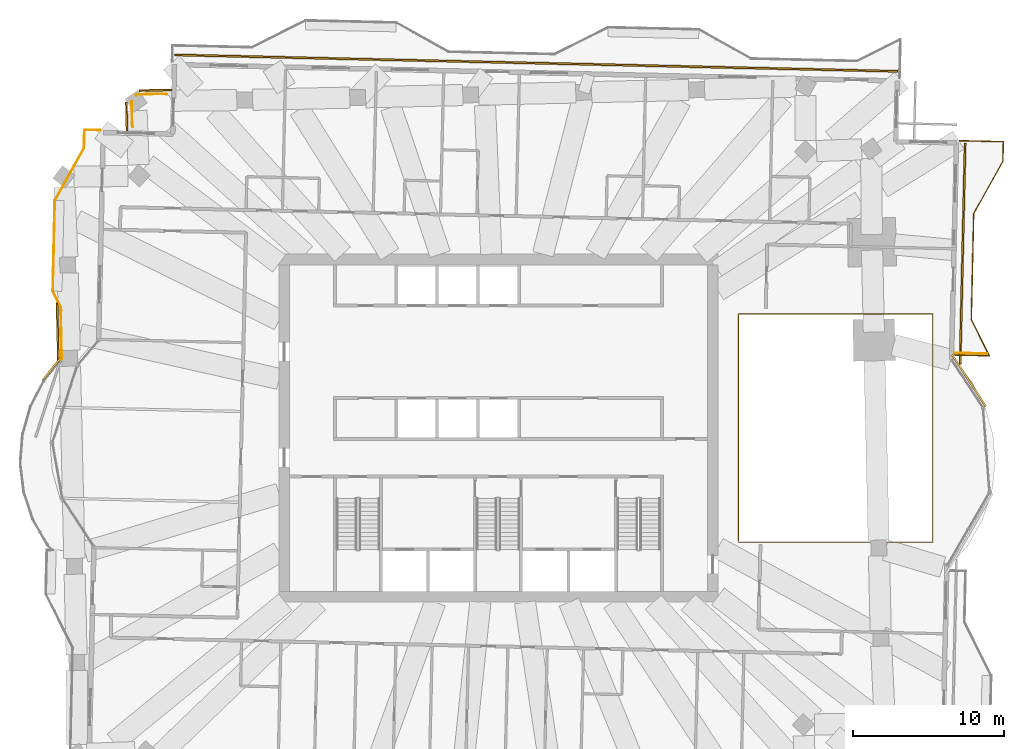
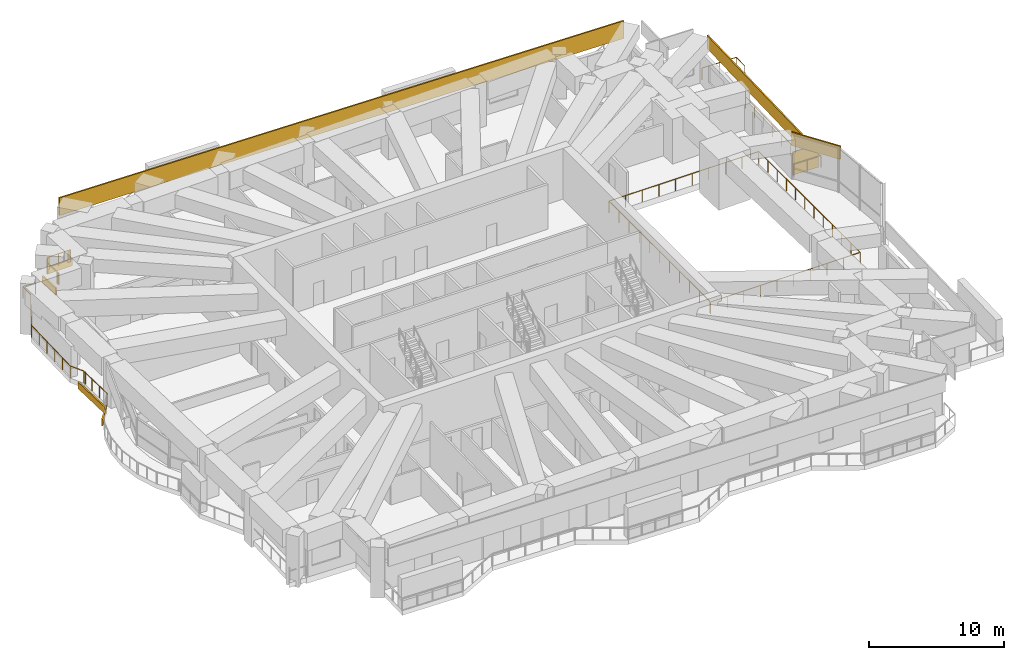
# One storey, part 19 of 20: 7 coverings, 6 railings, 1 shading device.
"""IFC4 building model written with IfcOpenShell, lengths in metres."""

from ifc_helpers import new_model, si_unit, direction, frame, frame_2d, origin, origin_2d, place, context, subcontext, project, spatial, rectangle, extrude, material, layer, layer_set, type_object, element, save


model = new_model("IFC4")

# Units and contexts
model_context = context("Model", 3, precision=1e-05, world=origin(), true_north=direction((0.0, 1.0)))
body_context = subcontext(model_context, "Body", "Model", "MODEL_VIEW")
ifc_project = project(units=[si_unit("LENGTHUNIT", "METRE"), si_unit("AREAUNIT", "SQUARE_METRE"), si_unit("VOLUMEUNIT", "CUBIC_METRE"), si_unit("PLANEANGLEUNIT", "RADIAN"), si_unit("MASSUNIT", "GRAM", prefix="KILO")], contexts=[model_context])

# Site, building, storey
site_placement = place(None, origin())
site = spatial("IfcSite", under=ifc_project, at=site_placement, CompositionType="ELEMENT")
building_placement = place(site_placement, origin())
building = spatial("IfcBuilding", under=site, at=building_placement, Name="Mangrove Gate Tower", CompositionType="ELEMENT")
storey_placement = place(building_placement, frame((0.0, 0.0, 252.699951171875)))
storey = spatial("IfcBuildingStorey", under=building, at=storey_placement, Name="L64", CompositionType="ELEMENT", Elevation=252.699951171875)

# Railings
ifc_material_1 = material(Name="Stainless steel grade 316 with laminated glass infill", Category="steel")
railing_type = type_object("IfcRailingType", Name="Balcony guard 1100", PredefinedType="GUARDRAIL", material=ifc_material_1)
railing_1_placement = place(storey_placement, frame((30.1298828125, 4.830078125, 0.0)))
element("IfcRailing", 1, at=railing_1_placement, inside=storey, type_object=railing_type, Name="GUARD L64 E2", PredefinedType="GUARDRAIL", context=body_context, shape_type="SweptSolid", body=[
    extrude(rectangle(XDim=0.048095703125, YDim=0.048095703125, at=origin_2d()), frame((0.0, 0.0, 1.076171875), z_axis=(0.9997382857, -0.022877065063, 0.0), x_axis=(0.022877065063, 0.9997382857, 0.0)), (0.0, 0.0, 1.0), 2.315673828125),
    extrude(rectangle(XDim=0.048095703125, YDim=0.048095703125, at=origin_2d()), frame((2.315185546875, -0.052978515625, 1.076171875), z_axis=(-0.447140888187, 0.894463540963, 0.0), x_axis=(-0.894463540963, -0.447140888187, 0.0)), (0.0, 0.0, 1.0), 2.686279296875),
    extrude(rectangle(XDim=0.048095703125, YDim=0.048095703125, at=origin_2d()), frame((1.114013671875, 2.349853515625, 1.076171875), z_axis=(0.022740419861, 0.999741403216, 0.0), x_axis=(-0.999741403216, 0.022740419861, 0.0)), (0.0, 0.0, 1.0), 6.999755859375),
    extrude(rectangle(XDim=0.048095703125, YDim=0.048095703125, at=origin_2d()), frame((1.273193359375, 9.347900390625, 1.076171875), z_axis=(0.48726008209, 0.87325689943, 0.0), x_axis=(-0.87325689943, 0.48726008209, 0.0)), (0.0, 0.0, 1.0), 3.958740234375),
    extrude(rectangle(XDim=0.048095703125, YDim=0.048095703125, at=origin_2d()), frame((3.2021484375, 12.804931640625, 1.076171875), z_axis=(0.0223418397, 0.999750389947, 0.0), x_axis=(-0.999750389947, 0.0223418397, 0.0)), (0.0, 0.0, 1.0), 1.30029296875),
    extrude(rectangle(XDim=0.048095703125, YDim=0.048095703125, at=origin_2d()), frame((3.231201171875, 14.10498046875, 1.076171875), z_axis=(-0.999743392495, 0.022652795902, 0.0), x_axis=(-0.022652795902, -0.999743392495, 0.0)), (0.0, 0.0, 1.0), 2.909912109375),
    extrude(rectangle(XDim=0.0419921875, YDim=0.0419921875, at=origin_2d()), origin(), (0.0, 0.0, 1.0), 1.052001953125),
    extrude(rectangle(XDim=0.0419921875, YDim=0.0419921875, at=origin_2d()), frame((1.15771484375, -0.0263671875, 0.0)), (0.0, 0.0, 1.0), 1.052001953125),
    extrude(rectangle(XDim=0.0419921875, YDim=0.0419921875, at=origin_2d()), frame((2.315185546875, -0.052978515625, 0.0)), (0.0, 0.0, 1.0), 1.052001953125),
    extrude(rectangle(XDim=0.0419921875, YDim=0.0419921875, at=origin_2d()), frame((1.714599609375, 1.1484375, 0.0)), (0.0, 0.0, 1.0), 1.052001953125),
    extrude(rectangle(XDim=0.0419921875, YDim=0.0419921875, at=origin_2d()), frame((1.114013671875, 2.349853515625, 0.0)), (0.0, 0.0, 1.0), 1.052001953125),
    extrude(rectangle(XDim=0.0419921875, YDim=0.0419921875, at=origin_2d()), frame((1.145751953125, 3.74951171875, 0.0)), (0.0, 0.0, 1.0), 1.052001953125),
    extrude(rectangle(XDim=0.0419921875, YDim=0.0419921875, at=origin_2d()), frame((1.177734375, 5.149169921875, 0.0)), (0.0, 0.0, 1.0), 1.052001953125),
    extrude(rectangle(XDim=0.0419921875, YDim=0.0419921875, at=origin_2d()), frame((1.20947265625, 6.548583984375, 0.0)), (0.0, 0.0, 1.0), 1.052001953125),
    extrude(rectangle(XDim=0.0419921875, YDim=0.0419921875, at=origin_2d()), frame((1.241455078125, 7.9482421875, 0.0)), (0.0, 0.0, 1.0), 1.052001953125),
    extrude(rectangle(XDim=0.0419921875, YDim=0.0419921875, at=origin_2d()), frame((1.273193359375, 9.347900390625, 0.0)), (0.0, 0.0, 1.0), 1.052001953125),
    extrude(rectangle(XDim=0.0419921875, YDim=0.0419921875, at=origin_2d()), frame((1.916259765625, 10.500244140625, 0.0)), (0.0, 0.0, 1.0), 1.052001953125),
    extrude(rectangle(XDim=0.0419921875, YDim=0.0419921875, at=origin_2d()), frame((2.55908203125, 11.652587890625, 0.0)), (0.0, 0.0, 1.0), 1.052001953125),
    extrude(rectangle(XDim=0.0419921875, YDim=0.0419921875, at=origin_2d()), frame((3.2021484375, 12.804931640625, 0.0)), (0.0, 0.0, 1.0), 1.052001953125),
    extrude(rectangle(XDim=0.0419921875, YDim=0.0419921875, at=origin_2d()), frame((3.231201171875, 14.10498046875, 0.0)), (0.0, 0.0, 1.0), 1.052001953125),
    extrude(rectangle(XDim=0.0419921875, YDim=0.0419921875, at=origin_2d()), frame((1.776611328125, 14.137939453125, 0.0)), (0.0, 0.0, 1.0), 1.052001953125),
    extrude(rectangle(XDim=0.0419921875, YDim=0.0419921875, at=origin_2d()), frame((0.322021484375, 14.1708984375, 0.0)), (0.0, 0.0, 1.0), 1.052001953125),
])
railing_2_placement = place(storey_placement, frame((-26.299072265625, 19.68896484375, 0.0)))
element("IfcRailing", 2, at=railing_2_placement, inside=storey, type_object=railing_type, Name="GUARD L64 W1", PredefinedType="GUARDRAIL", context=body_context, shape_type="SweptSolid", body=[
    extrude(rectangle(XDim=0.048095703125, YDim=0.048095703125, at=origin_2d()), frame((0.0, 0.0, 1.076171875), z_axis=(-0.999765634628, 0.021648921828, 0.0), x_axis=(-0.021648921828, -0.999765634628, 0.0)), (0.0, 0.0, 1.0), 1.06005859375),
    extrude(rectangle(XDim=0.048095703125, YDim=0.048095703125, at=origin_2d()), frame((-1.059814453125, 0.02294921875, 1.076171875), z_axis=(-0.022596550164, -0.999744665362, 0.0), x_axis=(0.999744665362, -0.022596550164, 0.0)), (0.0, 0.0, 1.0), 1.19921875),
    extrude(rectangle(XDim=0.048095703125, YDim=0.048095703125, at=origin_2d()), frame((-1.0869140625, -1.176025390625, 1.076171875), z_axis=(-0.48726008209, -0.87325689943, 0.0), x_axis=(0.87325689943, -0.48726008209, 0.0)), (0.0, 0.0, 1.0), 3.958740234375),
    extrude(rectangle(XDim=0.048095703125, YDim=0.048095703125, at=origin_2d()), frame((-3.015869140625, -4.633056640625, 1.076171875), z_axis=(-0.022662255828, -0.999743178102, 0.0), x_axis=(0.999743178102, -0.022662255828, 0.0)), (0.0, 0.0, 1.0), 6.00048828125),
    extrude(rectangle(XDim=0.048095703125, YDim=0.048095703125, at=origin_2d()), frame((-3.15185546875, -10.632080078125, 1.076171875), z_axis=(0.4472135955, -0.894427191, 0.0), x_axis=(0.894427191, 0.4472135955, 0.0)), (0.0, 0.0, 1.0), 1.1982421875),
    extrude(rectangle(XDim=0.0419921875, YDim=0.0419921875, at=origin_2d()), origin(), (0.0, 0.0, 1.0), 1.052001953125),
    extrude(rectangle(XDim=0.0419921875, YDim=0.0419921875, at=origin_2d()), frame((-1.059814453125, 0.02294921875, 0.0)), (0.0, 0.0, 1.0), 1.052001953125),
    extrude(rectangle(XDim=0.0419921875, YDim=0.0419921875, at=origin_2d()), frame((-1.0869140625, -1.176025390625, 0.0)), (0.0, 0.0, 1.0), 1.052001953125),
    extrude(rectangle(XDim=0.0419921875, YDim=0.0419921875, at=origin_2d()), frame((-1.72998046875, -2.328369140625, 0.0)), (0.0, 0.0, 1.0), 1.052001953125),
    extrude(rectangle(XDim=0.0419921875, YDim=0.0419921875, at=origin_2d()), frame((-2.372802734375, -3.480712890625, 0.0)), (0.0, 0.0, 1.0), 1.052001953125),
    extrude(rectangle(XDim=0.0419921875, YDim=0.0419921875, at=origin_2d()), frame((-3.015869140625, -4.633056640625, 0.0)), (0.0, 0.0, 1.0), 1.052001953125),
    extrude(rectangle(XDim=0.0419921875, YDim=0.0419921875, at=origin_2d()), frame((-3.04296875, -5.832763671875, 0.0)), (0.0, 0.0, 1.0), 1.052001953125),
    extrude(rectangle(XDim=0.0419921875, YDim=0.0419921875, at=origin_2d()), frame((-3.0703125, -7.03271484375, 0.0)), (0.0, 0.0, 1.0), 1.052001953125),
    extrude(rectangle(XDim=0.0419921875, YDim=0.0419921875, at=origin_2d()), frame((-3.097412109375, -8.232421875, 0.0)), (0.0, 0.0, 1.0), 1.052001953125),
    extrude(rectangle(XDim=0.0419921875, YDim=0.0419921875, at=origin_2d()), frame((-3.124755859375, -9.432373046875, 0.0)), (0.0, 0.0, 1.0), 1.052001953125),
    extrude(rectangle(XDim=0.0419921875, YDim=0.0419921875, at=origin_2d()), frame((-3.15185546875, -10.632080078125, 0.0)), (0.0, 0.0, 1.0), 1.052001953125),
    extrude(rectangle(XDim=0.0419921875, YDim=0.0419921875, at=origin_2d()), frame((-2.615966796875, -11.703857421875, 0.0)), (0.0, 0.0, 1.0), 1.052001953125),
])
railing_3_placement = place(storey_placement, frame((15.860107421875, -7.5400390625, 0.0)))
element("IfcRailing", 3, at=railing_3_placement, inside=storey, type_object=railing_type, Name="GUARD L64 atrium", PredefinedType="GUARDRAIL", context=body_context, shape_type="SweptSolid", body=[
    extrude(rectangle(XDim=0.048095703125, YDim=0.048095703125, at=origin_2d()), frame((0.0, 0.0, 1.076171875), z_axis=(1.0, 0.0, 0.0), x_axis=(0.0, 1.0, 0.0)), (0.0, 0.0, 1.0), 12.8388671875),
    extrude(rectangle(XDim=0.048095703125, YDim=0.048095703125, at=origin_2d()), frame((12.8388671875, 0.0, 1.076171875), z_axis=(0.0, 1.0, 0.0), x_axis=(-1.0, 0.0, 0.0)), (0.0, 0.0, 1.0), 15.080078125),
    extrude(rectangle(XDim=0.048095703125, YDim=0.048095703125, at=origin_2d()), frame((12.8388671875, 15.080078125, 1.076171875), z_axis=(-1.0, 0.0, 0.0), x_axis=(0.0, -1.0, 0.0)), (0.0, 0.0, 1.0), 12.8388671875),
    extrude(rectangle(XDim=0.048095703125, YDim=0.048095703125, at=origin_2d()), frame((0.0, 15.080078125, 1.076171875), z_axis=(0.0, -1.0, 0.0), x_axis=(1.0, 0.0, 0.0)), (0.0, 0.0, 1.0), 14.9599609375),
    extrude(rectangle(XDim=0.0419921875, YDim=0.0419921875, at=origin_2d()), origin(), (0.0, 0.0, 1.0), 1.052001953125),
    extrude(rectangle(XDim=0.0419921875, YDim=0.0419921875, at=origin_2d()), frame((1.426513671875, 0.0, 0.0)), (0.0, 0.0, 1.0), 1.052001953125),
    extrude(rectangle(XDim=0.0419921875, YDim=0.0419921875, at=origin_2d()), frame((2.85302734375, 0.0, 0.0)), (0.0, 0.0, 1.0), 1.052001953125),
    extrude(rectangle(XDim=0.0419921875, YDim=0.0419921875, at=origin_2d()), frame((4.279541015625, 0.0, 0.0)), (0.0, 0.0, 1.0), 1.052001953125),
    extrude(rectangle(XDim=0.0419921875, YDim=0.0419921875, at=origin_2d()), frame((5.7060546875, 0.0, 0.0)), (0.0, 0.0, 1.0), 1.052001953125),
    extrude(rectangle(XDim=0.0419921875, YDim=0.0419921875, at=origin_2d()), frame((7.1328125, 0.0, 0.0)), (0.0, 0.0, 1.0), 1.052001953125),
    extrude(rectangle(XDim=0.0419921875, YDim=0.0419921875, at=origin_2d()), frame((8.559326171875, 0.0, 0.0)), (0.0, 0.0, 1.0), 1.052001953125),
    extrude(rectangle(XDim=0.0419921875, YDim=0.0419921875, at=origin_2d()), frame((9.98583984375, 0.0, 0.0)), (0.0, 0.0, 1.0), 1.052001953125),
    extrude(rectangle(XDim=0.0419921875, YDim=0.0419921875, at=origin_2d()), frame((11.412353515625, 0.0, 0.0)), (0.0, 0.0, 1.0), 1.052001953125),
    extrude(rectangle(XDim=0.0419921875, YDim=0.0419921875, at=origin_2d()), frame((12.8388671875, 0.0, 0.0)), (0.0, 0.0, 1.0), 1.052001953125),
    extrude(rectangle(XDim=0.0419921875, YDim=0.0419921875, at=origin_2d()), frame((12.8388671875, 1.370849609375, 0.0)), (0.0, 0.0, 1.0), 1.052001953125),
    extrude(rectangle(XDim=0.0419921875, YDim=0.0419921875, at=origin_2d()), frame((12.8388671875, 2.741943359375, 0.0)), (0.0, 0.0, 1.0), 1.052001953125),
    extrude(rectangle(XDim=0.0419921875, YDim=0.0419921875, at=origin_2d()), frame((12.8388671875, 4.11279296875, 0.0)), (0.0, 0.0, 1.0), 1.052001953125),
    extrude(rectangle(XDim=0.0419921875, YDim=0.0419921875, at=origin_2d()), frame((12.8388671875, 5.483642578125, 0.0)), (0.0, 0.0, 1.0), 1.052001953125),
    extrude(rectangle(XDim=0.0419921875, YDim=0.0419921875, at=origin_2d()), frame((12.8388671875, 6.8544921875, 0.0)), (0.0, 0.0, 1.0), 1.052001953125),
    extrude(rectangle(XDim=0.0419921875, YDim=0.0419921875, at=origin_2d()), frame((12.8388671875, 8.2255859375, 0.0)), (0.0, 0.0, 1.0), 1.052001953125),
    extrude(rectangle(XDim=0.0419921875, YDim=0.0419921875, at=origin_2d()), frame((12.8388671875, 9.596435546875, 0.0)), (0.0, 0.0, 1.0), 1.052001953125),
    extrude(rectangle(XDim=0.0419921875, YDim=0.0419921875, at=origin_2d()), frame((12.8388671875, 10.96728515625, 0.0)), (0.0, 0.0, 1.0), 1.052001953125),
    extrude(rectangle(XDim=0.0419921875, YDim=0.0419921875, at=origin_2d()), frame((12.8388671875, 12.338134765625, 0.0)), (0.0, 0.0, 1.0), 1.052001953125),
    extrude(rectangle(XDim=0.0419921875, YDim=0.0419921875, at=origin_2d()), frame((12.8388671875, 13.709228515625, 0.0)), (0.0, 0.0, 1.0), 1.052001953125),
    extrude(rectangle(XDim=0.0419921875, YDim=0.0419921875, at=origin_2d()), frame((12.8388671875, 15.080078125, 0.0)), (0.0, 0.0, 1.0), 1.052001953125),
    extrude(rectangle(XDim=0.0419921875, YDim=0.0419921875, at=origin_2d()), frame((11.412353515625, 15.080078125, 0.0)), (0.0, 0.0, 1.0), 1.052001953125),
    extrude(rectangle(XDim=0.0419921875, YDim=0.0419921875, at=origin_2d()), frame((9.98583984375, 15.080078125, 0.0)), (0.0, 0.0, 1.0), 1.052001953125),
    extrude(rectangle(XDim=0.0419921875, YDim=0.0419921875, at=origin_2d()), frame((8.559326171875, 15.080078125, 0.0)), (0.0, 0.0, 1.0), 1.052001953125),
    extrude(rectangle(XDim=0.0419921875, YDim=0.0419921875, at=origin_2d()), frame((7.1328125, 15.080078125, 0.0)), (0.0, 0.0, 1.0), 1.052001953125),
    extrude(rectangle(XDim=0.0419921875, YDim=0.0419921875, at=origin_2d()), frame((5.7060546875, 15.080078125, 0.0)), (0.0, 0.0, 1.0), 1.052001953125),
    extrude(rectangle(XDim=0.0419921875, YDim=0.0419921875, at=origin_2d()), frame((4.279541015625, 15.080078125, 0.0)), (0.0, 0.0, 1.0), 1.052001953125),
    extrude(rectangle(XDim=0.0419921875, YDim=0.0419921875, at=origin_2d()), frame((2.85302734375, 15.080078125, 0.0)), (0.0, 0.0, 1.0), 1.052001953125),
    extrude(rectangle(XDim=0.0419921875, YDim=0.0419921875, at=origin_2d()), frame((1.426513671875, 15.080078125, 0.0)), (0.0, 0.0, 1.0), 1.052001953125),
    extrude(rectangle(XDim=0.0419921875, YDim=0.0419921875, at=origin_2d()), frame((0.0, 15.080078125, 0.0)), (0.0, 0.0, 1.0), 1.052001953125),
    extrude(rectangle(XDim=0.0419921875, YDim=0.0419921875, at=origin_2d()), frame((0.0, 13.583984375, 0.0)), (0.0, 0.0, 1.0), 1.052001953125),
    extrude(rectangle(XDim=0.0419921875, YDim=0.0419921875, at=origin_2d()), frame((0.0, 12.088134765625, 0.0)), (0.0, 0.0, 1.0), 1.052001953125),
    extrude(rectangle(XDim=0.0419921875, YDim=0.0419921875, at=origin_2d()), frame((0.0, 10.592041015625, 0.0)), (0.0, 0.0, 1.0), 1.052001953125),
    extrude(rectangle(XDim=0.0419921875, YDim=0.0419921875, at=origin_2d()), frame((0.0, 9.09619140625, 0.0)), (0.0, 0.0, 1.0), 1.052001953125),
    extrude(rectangle(XDim=0.0419921875, YDim=0.0419921875, at=origin_2d()), frame((0.0, 7.60009765625, 0.0)), (0.0, 0.0, 1.0), 1.052001953125),
    extrude(rectangle(XDim=0.0419921875, YDim=0.0419921875, at=origin_2d()), frame((0.0, 6.10400390625, 0.0)), (0.0, 0.0, 1.0), 1.052001953125),
    extrude(rectangle(XDim=0.0419921875, YDim=0.0419921875, at=origin_2d()), frame((0.0, 4.608154296875, 0.0)), (0.0, 0.0, 1.0), 1.052001953125),
    extrude(rectangle(XDim=0.0419921875, YDim=0.0419921875, at=origin_2d()), frame((0.0, 3.112060546875, 0.0)), (0.0, 0.0, 1.0), 1.052001953125),
    extrude(rectangle(XDim=0.0419921875, YDim=0.0419921875, at=origin_2d()), frame((0.0, 1.6162109375, 0.0)), (0.0, 0.0, 1.0), 1.052001953125),
    extrude(rectangle(XDim=0.0419921875, YDim=0.0419921875, at=origin_2d()), frame((0.0, 0.1201171875, 0.0)), (0.0, 0.0, 1.0), 1.052001953125),
])
railing_4_placement = place(storey_placement, frame((-23.962890625, 21.9990234375, 0.0)))
element("IfcRailing", 4, at=railing_4_placement, inside=storey, type_object=railing_type, Name="GUARD L64 T1.1", PredefinedType="GUARDRAIL", context=body_context, shape_type="SweptSolid", body=[
    extrude(rectangle(XDim=0.048095703125, YDim=0.048095703125, at=origin_2d()), frame((0.0, 0.0, 1.076171875), z_axis=(0.901385111422, 0.43301833784, 0.0), x_axis=(-0.43301833784, 0.901385111422, 0.0)), (0.0, 0.0, 1.0), 0.027587890625),
    extrude(rectangle(XDim=0.048095703125, YDim=0.048095703125, at=origin_2d()), frame((0.02490234375, 0.011962890625, 1.076171875), z_axis=(0.930510652004, 0.366264831108, 0.0), x_axis=(-0.366264831108, 0.930510652004, 0.0)), (0.0, 0.0, 1.0), 0.04931640625),
    extrude(rectangle(XDim=0.048095703125, YDim=0.048095703125, at=origin_2d()), frame((0.07080078125, 0.030029296875, 1.076171875), z_axis=(0.964301134924, 0.264808083684, 0.0), x_axis=(-0.264808083684, 0.964301134924, 0.0)), (0.0, 0.0, 1.0), 0.048828125),
    extrude(rectangle(XDim=0.048095703125, YDim=0.048095703125, at=origin_2d()), frame((0.117919921875, 0.04296875, 1.076171875), z_axis=(0.986789091699, 0.162010149383, 0.0), x_axis=(-0.162010149383, 0.986789091699, 0.0)), (0.0, 0.0, 1.0), 0.0498046875),
    extrude(rectangle(XDim=0.048095703125, YDim=0.048095703125, at=origin_2d()), frame((0.1669921875, 0.051025390625, 1.076171875), z_axis=(0.996815278536, 0.079745222283, 0.0), x_axis=(-0.079745222283, 0.996815278536, 0.0)), (0.0, 0.0, 1.0), 0.049072265625),
    extrude(rectangle(XDim=0.048095703125, YDim=0.048095703125, at=origin_2d()), frame((0.2158203125, 0.054931640625, 1.076171875), z_axis=(0.999751689266, 0.02228362199, 0.0), x_axis=(-0.02228362199, 0.999751689266, 0.0)), (0.0, 0.0, 1.0), 1.62158203125),
    extrude(rectangle(XDim=0.048095703125, YDim=0.048095703125, at=origin_2d()), frame((1.8369140625, 0.091064453125, 1.076171875), z_axis=(0.999809691461, -0.019508481785, 0.0), x_axis=(0.019508481785, 0.999809691461, 0.0)), (0.0, 0.0, 1.0), 0.050048828125),
    extrude(rectangle(XDim=0.048095703125, YDim=0.048095703125, at=origin_2d()), frame((1.886962890625, 0.090087890625, 1.076171875), z_axis=(0.992645877551, -0.121054375311, 0.0), x_axis=(0.121054375311, 0.992645877551, 0.0)), (0.0, 0.0, 1.0), 0.050537109375),
    extrude(rectangle(XDim=0.048095703125, YDim=0.048095703125, at=origin_2d()), frame((1.93701171875, 0.083984375, 1.076171875), z_axis=(0.972344019985, -0.233553220487, 0.0), x_axis=(0.233553220487, 0.972344019985, 0.0)), (0.0, 0.0, 1.0), 0.05126953125),
    extrude(rectangle(XDim=0.048095703125, YDim=0.048095703125, at=origin_2d()), frame((1.98681640625, 0.072021484375, 1.076171875), z_axis=(0.94620349056, -0.323572178119, 0.0), x_axis=(0.323572178119, 0.94620349056, 0.0)), (0.0, 0.0, 1.0), 0.0498046875),
    extrude(rectangle(XDim=0.048095703125, YDim=0.048095703125, at=origin_2d()), frame((2.033935546875, 0.055908203125, 1.076171875), z_axis=(0.894427191, -0.4472135955, 0.0), x_axis=(0.4472135955, 0.894427191, 0.0)), (0.0, 0.0, 1.0), 0.0224609375),
    extrude(rectangle(XDim=0.0419921875, YDim=0.0419921875, at=origin_2d()), origin(), (0.0, 0.0, 1.0), 1.052001953125),
    extrude(rectangle(XDim=0.0419921875, YDim=0.0419921875, at=origin_2d()), frame((0.02490234375, 0.011962890625, 0.0)), (0.0, 0.0, 1.0), 1.052001953125),
    extrude(rectangle(XDim=0.0419921875, YDim=0.0419921875, at=origin_2d()), frame((0.07080078125, 0.030029296875, 0.0)), (0.0, 0.0, 1.0), 1.052001953125),
    extrude(rectangle(XDim=0.0419921875, YDim=0.0419921875, at=origin_2d()), frame((0.117919921875, 0.04296875, 0.0)), (0.0, 0.0, 1.0), 1.052001953125),
    extrude(rectangle(XDim=0.0419921875, YDim=0.0419921875, at=origin_2d()), frame((0.1669921875, 0.051025390625, 0.0)), (0.0, 0.0, 1.0), 1.052001953125),
    extrude(rectangle(XDim=0.0419921875, YDim=0.0419921875, at=origin_2d()), frame((0.2158203125, 0.054931640625, 0.0)), (0.0, 0.0, 1.0), 1.052001953125),
    extrude(rectangle(XDim=0.0419921875, YDim=0.0419921875, at=origin_2d()), frame((1.0263671875, 0.072998046875, 0.0)), (0.0, 0.0, 1.0), 1.052001953125),
    extrude(rectangle(XDim=0.0419921875, YDim=0.0419921875, at=origin_2d()), frame((1.8369140625, 0.091064453125, 0.0)), (0.0, 0.0, 1.0), 1.052001953125),
    extrude(rectangle(XDim=0.0419921875, YDim=0.0419921875, at=origin_2d()), frame((1.886962890625, 0.090087890625, 0.0)), (0.0, 0.0, 1.0), 1.052001953125),
    extrude(rectangle(XDim=0.0419921875, YDim=0.0419921875, at=origin_2d()), frame((1.93701171875, 0.083984375, 0.0)), (0.0, 0.0, 1.0), 1.052001953125),
    extrude(rectangle(XDim=0.0419921875, YDim=0.0419921875, at=origin_2d()), frame((1.98681640625, 0.072021484375, 0.0)), (0.0, 0.0, 1.0), 1.052001953125),
    extrude(rectangle(XDim=0.0419921875, YDim=0.0419921875, at=origin_2d()), frame((2.033935546875, 0.055908203125, 0.0)), (0.0, 0.0, 1.0), 1.052001953125),
    extrude(rectangle(XDim=0.0419921875, YDim=0.0419921875, at=origin_2d()), frame((2.053955078125, 0.0458984375, 0.0)), (0.0, 0.0, 1.0), 1.052001953125),
])
railing_5_placement = place(storey_placement, frame((-24.14892578125, 19.903076171875, 0.0)))
element("IfcRailing", 5, at=railing_5_placement, inside=storey, type_object=railing_type, Name="GUARD L64 T1.2", PredefinedType="GUARDRAIL", context=body_context, shape_type="SweptSolid", body=[
    extrude(rectangle(XDim=0.048095703125, YDim=0.048095703125, at=origin_2d()), frame((0.0, 0.0, 1.076171875), z_axis=(-0.450115207469, 0.892970492237, 0.0), x_axis=(-0.892970492237, -0.450115207469, 0.0)), (0.0, 0.0, 1.0), 0.03369140625),
    extrude(rectangle(XDim=0.048095703125, YDim=0.048095703125, at=origin_2d()), frame((-0.01513671875, 0.030029296875, 1.076171875), z_axis=(-0.333088151559, 0.942895690568, 0.0), x_axis=(-0.942895690568, -0.333088151559, 0.0)), (0.0, 0.0, 1.0), 0.047607421875),
    extrude(rectangle(XDim=0.048095703125, YDim=0.048095703125, at=origin_2d()), frame((-0.031005859375, 0.074951171875, 1.076171875), z_axis=(-0.252212359559, 0.967671910146, 0.0), x_axis=(-0.967671910146, -0.252212359559, 0.0)), (0.0, 0.0, 1.0), 0.04736328125),
    extrude(rectangle(XDim=0.048095703125, YDim=0.048095703125, at=origin_2d()), frame((-0.04296875, 0.120849609375, 1.076171875), z_axis=(-0.168538534535, 0.985695065614, 0.0), x_axis=(-0.985695065614, -0.168538534535, 0.0)), (0.0, 0.0, 1.0), 0.0478515625),
    extrude(rectangle(XDim=0.048095703125, YDim=0.048095703125, at=origin_2d()), frame((-0.051025390625, 0.16796875, 1.076171875), z_axis=(-0.088196627273, 0.996103084494, 0.0), x_axis=(-0.996103084494, -0.088196627273, 0.0)), (0.0, 0.0, 1.0), 0.047119140625),
    extrude(rectangle(XDim=0.048095703125, YDim=0.048095703125, at=origin_2d()), frame((-0.05517578125, 0.21484375, 1.076171875), z_axis=(-0.022452764537, 0.999747904906, 0.0), x_axis=(-0.999747904906, -0.022452764537, 0.0)), (0.0, 0.0, 1.0), 1.42431640625),
    extrude(rectangle(XDim=0.048095703125, YDim=0.048095703125, at=origin_2d()), frame((-0.087158203125, 1.638916015625, 1.076171875), z_axis=(0.019896558087, 0.999802043895, 0.0), x_axis=(-0.999802043895, 0.019896558087, 0.0)), (0.0, 0.0, 1.0), 0.049072265625),
    extrude(rectangle(XDim=0.0419921875, YDim=0.0419921875, at=origin_2d()), origin(), (0.0, 0.0, 1.0), 1.052001953125),
    extrude(rectangle(XDim=0.0419921875, YDim=0.0419921875, at=origin_2d()), frame((-0.01513671875, 0.030029296875, 0.0)), (0.0, 0.0, 1.0), 1.052001953125),
    extrude(rectangle(XDim=0.0419921875, YDim=0.0419921875, at=origin_2d()), frame((-0.031005859375, 0.074951171875, 0.0)), (0.0, 0.0, 1.0), 1.052001953125),
    extrude(rectangle(XDim=0.0419921875, YDim=0.0419921875, at=origin_2d()), frame((-0.04296875, 0.120849609375, 0.0)), (0.0, 0.0, 1.0), 1.052001953125),
    extrude(rectangle(XDim=0.0419921875, YDim=0.0419921875, at=origin_2d()), frame((-0.051025390625, 0.16796875, 0.0)), (0.0, 0.0, 1.0), 1.052001953125),
    extrude(rectangle(XDim=0.0419921875, YDim=0.0419921875, at=origin_2d()), frame((-0.05517578125, 0.21484375, 0.0)), (0.0, 0.0, 1.0), 1.052001953125),
    extrude(rectangle(XDim=0.0419921875, YDim=0.0419921875, at=origin_2d()), frame((-0.087158203125, 1.638916015625, 0.0)), (0.0, 0.0, 1.0), 1.052001953125),
    extrude(rectangle(XDim=0.0419921875, YDim=0.0419921875, at=origin_2d()), frame((-0.086181640625, 1.68798828125, 0.0)), (0.0, 0.0, 1.0), 1.052001953125),
])
railing_6_placement = place(storey_placement, frame((-28.9140625, 4.529052734375, 0.0)))
element("IfcRailing", 6, at=railing_6_placement, inside=storey, type_object=railing_type, Name="GUARD L64 T2.1", PredefinedType="GUARDRAIL", context=body_context, shape_type="SweptSolid", body=[
    extrude(rectangle(XDim=0.048095703125, YDim=0.048095703125, at=origin_2d()), frame((0.0, 0.0, 1.076171875), z_axis=(0.737959728569, 0.674844751784, 0.0), x_axis=(-0.674844751784, 0.737959728569, 0.0)), (0.0, 0.0, 1.0), 0.05029296875),
    extrude(rectangle(XDim=0.048095703125, YDim=0.048095703125, at=origin_2d()), frame((0.037109375, 0.033935546875, 1.076171875), z_axis=(0.802342191251, 0.596864313004, 0.0), x_axis=(-0.596864313004, 0.802342191251, 0.0)), (0.0, 0.0, 1.0), 0.02490234375),
    extrude(rectangle(XDim=0.048095703125, YDim=0.048095703125, at=origin_2d()), frame((0.05712890625, 0.048828125, 1.076171875), z_axis=(0.0, 1.0, 0.0), x_axis=(-1.0, 0.0, 0.0)), (0.0, 0.0, 1.0), 0.005126953125),
    extrude(rectangle(XDim=0.048095703125, YDim=0.048095703125, at=origin_2d()), frame((0.05712890625, 0.053955078125, 1.076171875), z_axis=(0.316227766017, 0.948683298051, 0.0), x_axis=(-0.948683298051, 0.316227766017, 0.0)), (0.0, 0.0, 1.0), 0.003173828125),
    extrude(rectangle(XDim=0.048095703125, YDim=0.048095703125, at=origin_2d()), frame((0.05810546875, 0.056884765625, 1.076171875), z_axis=(0.084799830401, 0.996398007206, 0.0), x_axis=(-0.996398007206, 0.084799830401, 0.0)), (0.0, 0.0, 1.0), 0.02294921875),
    extrude(rectangle(XDim=0.048095703125, YDim=0.048095703125, at=origin_2d()), frame((0.06005859375, 0.079833984375, 1.076171875), z_axis=(0.079745222283, 0.996815278536, 0.0), x_axis=(-0.996815278536, 0.079745222283, 0.0)), (0.0, 0.0, 1.0), 0.01220703125),
    extrude(rectangle(XDim=0.048095703125, YDim=0.048095703125, at=origin_2d()), frame((0.06103515625, 0.092041015625, 1.076171875), z_axis=(-0.022651780072, 0.999743415512, 0.0), x_axis=(-0.999743415512, -0.022651780072, 0.0)), (0.0, 0.0, 1.0), 3.265625),
    extrude(rectangle(XDim=0.048095703125, YDim=0.048095703125, at=origin_2d()), frame((-0.012939453125, 3.35693359375, 1.076171875), z_axis=(0.443876206707, -0.896088116827, 0.0), x_axis=(0.896088116827, 0.443876206707, 0.0)), (0.0, 0.0, 1.0), 0.1171875),
    extrude(rectangle(XDim=0.0419921875, YDim=0.0419921875, at=origin_2d()), origin(), (0.0, 0.0, 1.0), 1.052001953125),
    extrude(rectangle(XDim=0.0419921875, YDim=0.0419921875, at=origin_2d()), frame((0.037109375, 0.033935546875, 0.0)), (0.0, 0.0, 1.0), 1.052001953125),
    extrude(rectangle(XDim=0.0419921875, YDim=0.0419921875, at=origin_2d()), frame((0.05712890625, 0.048828125, 0.0)), (0.0, 0.0, 1.0), 1.052001953125),
    extrude(rectangle(XDim=0.0419921875, YDim=0.0419921875, at=origin_2d()), frame((0.05712890625, 0.053955078125, 0.0)), (0.0, 0.0, 1.0), 1.052001953125),
    extrude(rectangle(XDim=0.0419921875, YDim=0.0419921875, at=origin_2d()), frame((0.05810546875, 0.056884765625, 0.0)), (0.0, 0.0, 1.0), 1.052001953125),
    extrude(rectangle(XDim=0.0419921875, YDim=0.0419921875, at=origin_2d()), frame((0.06005859375, 0.079833984375, 0.0)), (0.0, 0.0, 1.0), 1.052001953125),
    extrude(rectangle(XDim=0.0419921875, YDim=0.0419921875, at=origin_2d()), frame((0.06103515625, 0.092041015625, 0.0)), (0.0, 0.0, 1.0), 1.052001953125),
    extrude(rectangle(XDim=0.0419921875, YDim=0.0419921875, at=origin_2d()), frame((0.036376953125, 1.180419921875, 0.0)), (0.0, 0.0, 1.0), 1.052001953125),
    extrude(rectangle(XDim=0.0419921875, YDim=0.0419921875, at=origin_2d()), frame((0.01171875, 2.2685546875, 0.0)), (0.0, 0.0, 1.0), 1.052001953125),
    extrude(rectangle(XDim=0.0419921875, YDim=0.0419921875, at=origin_2d()), frame((-0.012939453125, 3.35693359375, 0.0)), (0.0, 0.0, 1.0), 1.052001953125),
    extrude(rectangle(XDim=0.0419921875, YDim=0.0419921875, at=origin_2d()), frame((0.0390625, 3.251953125, 0.0)), (0.0, 0.0, 1.0), 1.052001953125),
])

# Shading device
ifc_material_2 = material(Name="Timber slat screen in teak", Category="wood")
shading_device_type = type_object("IfcShadingDeviceType", Name="Balcony screen 2100", PredefinedType="USERDEFINED", material=ifc_material_2)
shading_device_placement = place(storey_placement, frame((31.2109375, 4.945068359375, 0.0), z_axis=(0.0, 0.0, 1.0), x_axis=(0.999736234843, -0.022966513488, 0.0)))
element("IfcShadingDevice", 7, at=shading_device_placement, inside=storey, type_object=shading_device_type, Name="SCREEN L64 E1", ObjectType="SCREEN", PredefinedType="USERDEFINED", context=body_context, shape_type="SweptSolid", body=[
    extrude(rectangle(XDim=2.196044921875, YDim=0.050048828125, at=origin_2d()), origin(), (0.0, 0.0, 1.0), 2.10009765625),
])

# Coverings
ifc_material_3 = material(Name="Limestone", Category="masonry")
ifc_layer_1 = layer(ifc_material_3, 0.0400390625, Name="Limestone cladding")
ifc_material_4 = material(Name="Stainless steel anchors and cavity", Category="steel")
ifc_layer_2 = layer(ifc_material_4, 0.080078125, Name="Fixing cavity")
ifc_layer_set = layer_set([ifc_layer_1, ifc_layer_2], Name="Joint fascia cladding 120")
covering_type = type_object("IfcCoveringType", Name="Joint fascia cladding 120", PredefinedType="CLADDING", material=ifc_layer_set)
covering_1_placement = place(storey_placement, frame((32.194091796875, 1.447998046875, 2.85009765625), z_axis=(0.0, 0.0, 1.0), x_axis=(-0.546247634204, 0.837623735412, 0.0)))
element("IfcCovering", 8, at=covering_1_placement, inside=storey, type_object=covering_type, Name="STONE FASCIA L64 E1.L2", PredefinedType="CLADDING", context=body_context, shape_type="SweptSolid", body=[
    extrude(rectangle(XDim=4.066162109375, YDim=0.1201171875, at=frame_2d((2.033203125, 0.0))), origin(), (0.0, 0.0, 1.0), 1.199951171875),
])
covering_2_placement = place(storey_placement, frame((30.501708984375, 4.239013671875, 2.85009765625), z_axis=(0.0, 0.0, 1.0), x_axis=(0.022681160112, 0.999742749399, 0.0)))
element("IfcCovering", 9, at=covering_2_placement, inside=storey, type_object=covering_type, Name="STONE FASCIA L64 E2.1", PredefinedType="CLADDING", context=body_context, shape_type="SweptSolid", body=[
    extrude(rectangle(XDim=14.606689453125, YDim=0.1201171875, at=frame_2d((7.30322265625, 0.0))), origin(), (0.0, 0.0, 1.0), 1.199951171875),
])
covering_3_placement = place(storey_placement, frame((26.364990234375, 23.58203125, 2.449951171875), z_axis=(0.0, 0.0, 1.0), x_axis=(-0.999742534237, 0.022690642055, 0.0)))
element("IfcCovering", 10, at=covering_3_placement, inside=storey, type_object=covering_type, Name="STONE FASCIA L64 N5.1", PredefinedType="CLADDING", context=body_context, shape_type="SweptSolid", body=[
    extrude(rectangle(XDim=47.772216796875, YDim=0.1201171875, at=frame_2d((23.88623046875, 0.0))), origin(), (0.0, 0.0, 1.0), 1.60009765625),
])
covering_4_placement = place(storey_placement, frame((-23.7529296875, 22.304931640625, -0.599853515625), z_axis=(0.0, 0.0, 1.0), x_axis=(0.999737781571, 0.022899085143, 0.0)))
element("IfcCovering", 11, at=covering_4_placement, inside=storey, type_object=covering_type, Name="STONE FASCIA L64 TB81-1.1", PredefinedType="CLADDING", context=body_context, shape_type="SweptSolid", body=[
    extrude(rectangle(XDim=2.153564453125, YDim=0.1201171875, at=frame_2d((1.07666015625, 0.0))), origin(), (0.0, 0.0, 1.0), 0.599853515625),
])
covering_5_placement = place(storey_placement, frame((-24.548583984375, 19.6513671875, -0.599853515625), z_axis=(0.0, 0.0, 1.0), x_axis=(-0.022559423896, 0.999745503813, 0.0)))
element("IfcCovering", 12, at=covering_5_placement, inside=storey, type_object=covering_type, Name="STONE FASCIA L64 TB81-2.1", PredefinedType="CLADDING", context=body_context, shape_type="SweptSolid", body=[
    extrude(rectangle(XDim=1.883056640625, YDim=0.1201171875, at=frame_2d((0.94140625, 0.0))), origin(), (0.0, 0.0, 1.0), 0.599853515625),
])
covering_6_placement = place(storey_placement, frame((-29.08203125, 4.365966796875, -0.599853515625), z_axis=(0.0, 0.0, 1.0), x_axis=(-0.022746747808, 0.999741259259, 0.0)))
element("IfcCovering", 13, at=covering_6_placement, inside=storey, type_object=covering_type, Name="STONE FASCIA L64 TB82-1.1", PredefinedType="CLADDING", context=body_context, shape_type="SweptSolid", body=[
    extrude(rectangle(XDim=3.93896484375, YDim=0.1201171875, at=frame_2d((1.969482421875, 0.0))), origin(), (0.0, 0.0, 1.0), 0.599853515625),
])
covering_7_placement = place(storey_placement, frame((-30.087890625, 3.2119140625, -0.599853515625), z_axis=(0.0, 0.0, 1.0), x_axis=(0.625348770084, 0.78034538235, 0.0)))
element("IfcCovering", 14, at=covering_7_placement, inside=storey, type_object=covering_type, Name="STONE FASCIA L64 TB82-2.1", PredefinedType="CLADDING", context=body_context, shape_type="SweptSolid", body=[
    extrude(rectangle(XDim=1.912109375, YDim=0.1201171875, at=frame_2d((0.9560546875, 0.0))), origin(), (0.0, 0.0, 1.0), 0.599853515625),
])

save(model, "model.ifc")
